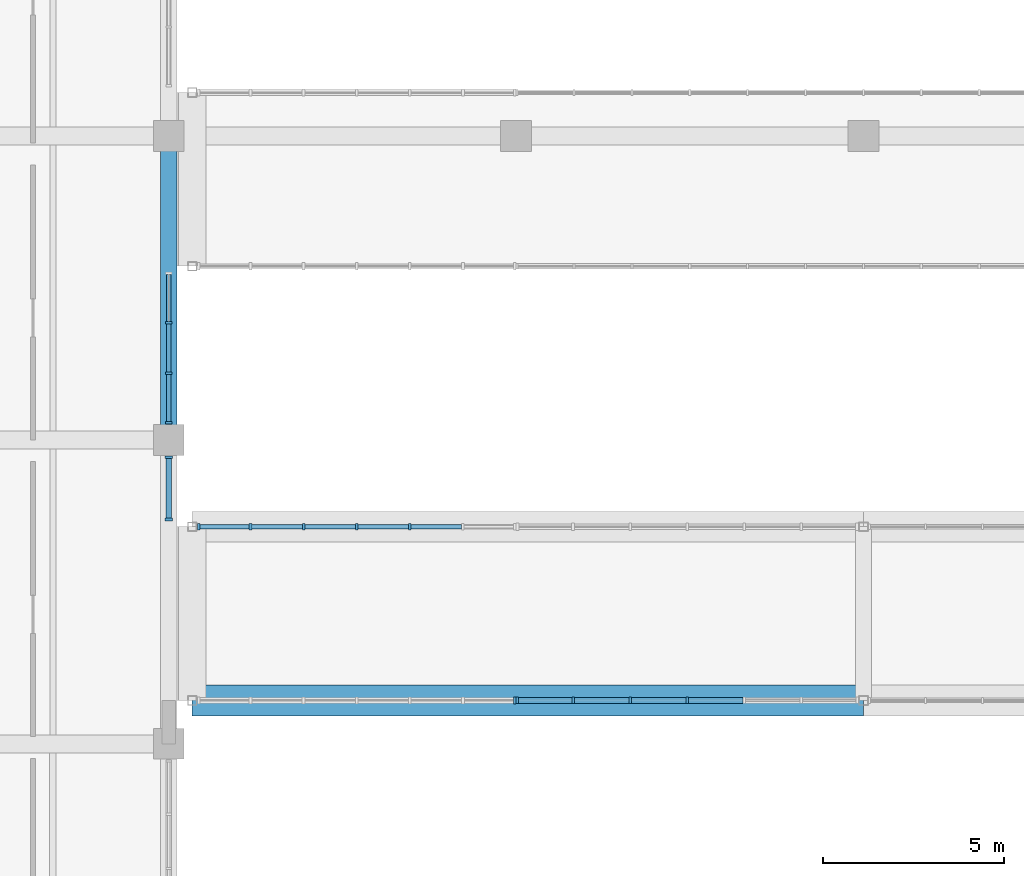
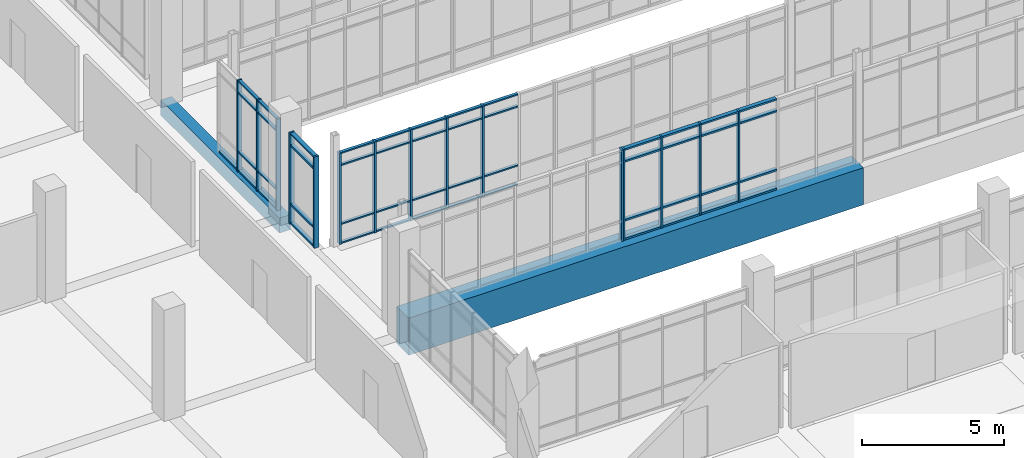
# One storey, part 49 of 152: 64 members, 2 beams, 5 elements without a shape of their own.
"""IFC4 building model written with IfcOpenShell, lengths in metres."""

from ifc_helpers import new_model, si_unit, direction, frame, origin, origin_2d, place, context, subcontext, project, spatial, rectangle, extrude, material, material_profile, profile_set, type_object, element, aggregate, save


model = new_model("IFC4")

# Units and contexts
model_context = context("Model", 3, precision=1e-05, world=origin(), true_north=direction((0.0, 1.0)))
body_context = subcontext(model_context, "Body", "Model", "MODEL_VIEW")
ifc_project = project(units=[si_unit("LENGTHUNIT", "METRE"), si_unit("AREAUNIT", "SQUARE_METRE"), si_unit("VOLUMEUNIT", "CUBIC_METRE"), si_unit("PLANEANGLEUNIT", "RADIAN"), si_unit("MASSUNIT", "GRAM", prefix="KILO")], contexts=[model_context])

# Site, building, storey
site_placement = place(None, origin())
site = spatial("IfcSite", under=ifc_project, at=site_placement, CompositionType="ELEMENT")
building_placement = place(site_placement, origin())
building = spatial("IfcBuilding", under=site, at=building_placement, Name="Oolite Switchyard Hospital", CompositionType="ELEMENT")
storey_placement = place(building_placement, frame((0.0, 0.0, 5.10009765625)))
storey = spatial("IfcBuildingStorey", under=building, at=storey_placement, Name="L01", CompositionType="ELEMENT", Elevation=5.10009765625)

# Beams
ifc_material_1 = material(Name="Concrete C40/50", Category="concrete")
ifc_material_profile_1 = material_profile(ifc_material_1, rectangle(XDim=0.449951171875, YDim=0.64990234375, at=origin_2d()), Name="RCB450X650")
ifc_profile_set_1 = profile_set([ifc_material_profile_1], Name="Concrete C40/50")
beam_type_1 = type_object("IfcBeamType", Name="BM-RC450X650", PredefinedType="BEAM", material=ifc_profile_set_1)
beam_1_placement = place(storey_placement, frame((144.0, 42.0, -0.3251953125), z_axis=(0.0, 1.0, 0.0), x_axis=(-1.0, 0.0, 0.0)))
element("IfcBeam", 1, at=beam_1_placement, inside=storey, type_object=beam_type_1, Name="L01 Y-Girder 463", PredefinedType="BEAM", context=body_context, shape_type="SweptSolid", body=[
    extrude(rectangle(XDim=0.449951171875, YDim=0.64990234375, at=origin_2d()), origin(), (0.0, 0.0, 1.0), 8.39990234375),
])
ifc_material_profile_2 = material_profile(ifc_material_1, rectangle(XDim=0.85009765625, YDim=1.60009765625, at=origin_2d()), Name="RCT850X1600")
ifc_profile_set_2 = profile_set([ifc_material_profile_2], Name="Concrete C40/50")
beam_type_2 = type_object("IfcBeamType", Name="BM-TR850X1600", PredefinedType="BEAM", material=ifc_profile_set_2)
beam_2_placement = place(storey_placement, frame((144.64990234375, 34.800048828125, -0.800048828125), z_axis=(1.0, 0.0, 0.0), x_axis=(0.0, 1.0, 0.0)))
element("IfcBeam", 2, at=beam_2_placement, inside=storey, type_object=beam_type_2, Name="L01 X-Girder 80", PredefinedType="BEAM", context=body_context, shape_type="SweptSolid", body=[
    extrude(rectangle(XDim=0.85009765625, YDim=1.60009765625, at=origin_2d()), origin(), (0.0, 0.0, 1.0), 18.550048828125),
])

# Curtain wall, members
ifc_material_2 = material(Name="Thermally broken aluminum frame with laminated impact glazing", Category="aluminium")
curtain_wall_type = type_object("IfcCurtainWallType", Name="CW-BRG-96X38", PredefinedType="USERDEFINED", material=ifc_material_2)
curtain_wall_1_placement = place(storey_placement, origin())
curtain_wall_1 = element("IfcCurtainWall", 3, at=curtain_wall_1_placement, inside=storey, type_object=curtain_wall_type, Name="L01 Unitised Curtain Wall 117", ObjectType="UNITISED", PredefinedType="USERDEFINED")
ifc_material_3 = material(Name="Aluminium 6063-T6", Category="aluminium")
ifc_material_profile_3 = material_profile(ifc_material_3, rectangle(XDim=0.179931640625, YDim=0.070068359375, at=origin_2d()), Name="CWM70X180")
ifc_profile_set_3 = profile_set([ifc_material_profile_3], Name="Aluminium 6063-T6")
member_type_1 = type_object("IfcMemberType", Name="CW-MUL-220", PredefinedType="MULLION", material=ifc_profile_set_3)
member_1_placement = place(storey_placement, frame((158.3291015625, 34.800048828125, 0.0), z_axis=(0.0, 0.0, 1.0), x_axis=(0.0, -1.0, 0.0)))
member_1 = element("IfcMember", 4, at=member_1_placement, type_object=member_type_1, Name="CW-12 mullion 4", PredefinedType="MULLION", context=body_context, shape_type="SweptSolid", body=[
    extrude(rectangle(XDim=0.179931640625, YDim=0.070068359375, at=origin_2d()), origin(), (0.0, 0.0, 1.0), 3.93994140625),
])
member_2_placement = place(storey_placement, frame((156.752685546875, 34.800048828125, 0.0), z_axis=(0.0, 0.0, 1.0), x_axis=(0.0, -1.0, 0.0)))
member_2 = element("IfcMember", 5, at=member_2_placement, type_object=member_type_1, Name="CW-12 mullion 5", PredefinedType="MULLION", context=body_context, shape_type="SweptSolid", body=[
    extrude(rectangle(XDim=0.179931640625, YDim=0.070068359375, at=origin_2d()), origin(), (0.0, 0.0, 1.0), 3.93994140625),
])
member_3_placement = place(storey_placement, frame((155.17626953125, 34.800048828125, 0.0), z_axis=(0.0, 0.0, 1.0), x_axis=(0.0, -1.0, 0.0)))
member_3 = element("IfcMember", 6, at=member_3_placement, type_object=member_type_1, Name="CW-12 mullion 6", PredefinedType="MULLION", context=body_context, shape_type="SweptSolid", body=[
    extrude(rectangle(XDim=0.179931640625, YDim=0.070068359375, at=origin_2d()), origin(), (0.0, 0.0, 1.0), 3.93994140625),
])
member_4_placement = place(storey_placement, frame((153.635009765625, 34.800048828125, 0.0), z_axis=(0.0, 0.0, 1.0), x_axis=(0.0, -1.0, 0.0)))
member_4 = element("IfcMember", 7, at=member_4_placement, type_object=member_type_1, Name="CW-12 mullion 7", PredefinedType="MULLION", context=body_context, shape_type="SweptSolid", body=[
    extrude(rectangle(XDim=0.179931640625, YDim=0.070068359375, at=origin_2d()), origin(), (0.0, 0.0, 1.0), 3.93994140625),
])

curtain_wall_2_placement = place(storey_placement, origin())
curtain_wall_2 = element("IfcCurtainWall", 8, at=curtain_wall_2_placement, inside=storey, type_object=curtain_wall_type, Name="L01 Unitised Curtain Wall 120", ObjectType="UNITISED", PredefinedType="USERDEFINED")
member_5_placement = place(storey_placement, frame((144.826904296875, 39.60009765625, 0.0), z_axis=(0.0, 0.0, 1.0), x_axis=(0.0, 1.0, 0.0)))
member_5 = element("IfcMember", 9, at=member_5_placement, type_object=member_type_1, Name="CW-12 mullion 1", PredefinedType="MULLION", context=body_context, shape_type="SweptSolid", body=[
    extrude(rectangle(XDim=0.179931640625, YDim=0.070068359375, at=origin_2d()), origin(), (0.0, 0.0, 1.0), 3.93994140625),
])
member_6_placement = place(storey_placement, frame((146.260009765625, 39.60009765625, 0.0), z_axis=(0.0, 0.0, 1.0), x_axis=(0.0, 1.0, 0.0)))
member_6 = element("IfcMember", 10, at=member_6_placement, type_object=member_type_1, Name="CW-12 mullion 2", PredefinedType="MULLION", context=body_context, shape_type="SweptSolid", body=[
    extrude(rectangle(XDim=0.179931640625, YDim=0.070068359375, at=origin_2d()), origin(), (0.0, 0.0, 1.0), 3.93994140625),
])
member_7_placement = place(storey_placement, frame((147.72802734375, 39.60009765625, 0.0), z_axis=(0.0, 0.0, 1.0), x_axis=(0.0, 1.0, 0.0)))
member_7 = element("IfcMember", 11, at=member_7_placement, type_object=member_type_1, Name="CW-12 mullion 3", PredefinedType="MULLION", context=body_context, shape_type="SweptSolid", body=[
    extrude(rectangle(XDim=0.179931640625, YDim=0.070068359375, at=origin_2d()), origin(), (0.0, 0.0, 1.0), 3.93994140625),
])
member_8_placement = place(storey_placement, frame((149.196044921875, 39.60009765625, 0.0), z_axis=(0.0, 0.0, 1.0), x_axis=(0.0, 1.0, 0.0)))
member_8 = element("IfcMember", 12, at=member_8_placement, type_object=member_type_1, Name="CW-12 mullion 4", PredefinedType="MULLION", context=body_context, shape_type="SweptSolid", body=[
    extrude(rectangle(XDim=0.179931640625, YDim=0.070068359375, at=origin_2d()), origin(), (0.0, 0.0, 1.0), 3.93994140625),
])
member_9_placement = place(storey_placement, frame((150.6640625, 39.60009765625, 0.0), z_axis=(0.0, 0.0, 1.0), x_axis=(0.0, 1.0, 0.0)))
member_9 = element("IfcMember", 13, at=member_9_placement, type_object=member_type_1, Name="CW-12 mullion 5", PredefinedType="MULLION", context=body_context, shape_type="SweptSolid", body=[
    extrude(rectangle(XDim=0.179931640625, YDim=0.070068359375, at=origin_2d()), origin(), (0.0, 0.0, 1.0), 3.93994140625),
])

curtain_wall_3_placement = place(storey_placement, origin())
curtain_wall_3 = element("IfcCurtainWall", 14, at=curtain_wall_3_placement, inside=storey, type_object=curtain_wall_type, Name="L01 Unitised Curtain Wall 192", ObjectType="UNITISED", PredefinedType="USERDEFINED")
member_10_placement = place(storey_placement, frame((144.0, 45.239990234375, 0.0), z_axis=(0.0, 0.0, 1.0), x_axis=(1.0, 0.0, 0.0)))
member_10 = element("IfcMember", 15, at=member_10_placement, type_object=member_type_1, Name="CW-12 mullion 2", PredefinedType="MULLION", context=body_context, shape_type="SweptSolid", body=[
    extrude(rectangle(XDim=0.179931640625, YDim=0.070068359375, at=origin_2d()), origin(), (0.0, 0.0, 1.0), 3.93994140625),
])
member_11_placement = place(storey_placement, frame((144.0, 43.840087890625, 0.0), z_axis=(0.0, 0.0, 1.0), x_axis=(1.0, 0.0, 0.0)))
member_11 = element("IfcMember", 16, at=member_11_placement, type_object=member_type_1, Name="CW-12 mullion 3", PredefinedType="MULLION", context=body_context, shape_type="SweptSolid", body=[
    extrude(rectangle(XDim=0.179931640625, YDim=0.070068359375, at=origin_2d()), origin(), (0.0, 0.0, 1.0), 3.93994140625),
])
member_12_placement = place(storey_placement, frame((144.0, 42.47509765625, 0.0), z_axis=(0.0, 0.0, 1.0), x_axis=(1.0, 0.0, 0.0)))
member_12 = element("IfcMember", 17, at=member_12_placement, type_object=member_type_1, Name="CW-12 mullion 4", PredefinedType="MULLION", context=body_context, shape_type="SweptSolid", body=[
    extrude(rectangle(XDim=0.179931640625, YDim=0.070068359375, at=origin_2d()), origin(), (0.0, 0.0, 1.0), 3.93994140625),
])

# Curtain wall, member
curtain_wall_4_placement = place(storey_placement, origin())
curtain_wall_4 = element("IfcCurtainWall", 18, at=curtain_wall_4_placement, inside=storey, type_object=curtain_wall_type, Name="L01 Unitised Curtain Wall 115", ObjectType="UNITISED", PredefinedType="USERDEFINED")
ifc_material_profile_4 = material_profile(ifc_material_3, rectangle(XDim=0.199951171875, YDim=0.074951171875, at=origin_2d()), Name="CWM75X200")
ifc_profile_set_4 = profile_set([ifc_material_profile_4], Name="Aluminium 6063-T6")
member_type_2 = type_object("IfcMemberType", Name="CW-MUL-260", PredefinedType="MULLION", material=ifc_profile_set_4)
member_13_placement = place(storey_placement, frame((153.5625, 34.800048828125, 0.0), z_axis=(0.0, 0.0, 1.0), x_axis=(0.0, -1.0, 0.0)))
member_13 = element("IfcMember", 19, at=member_13_placement, type_object=member_type_2, Name="CW-12 mullion 1", PredefinedType="MULLION", context=body_context, shape_type="SweptSolid", body=[
    extrude(rectangle(XDim=0.199951171875, YDim=0.074951171875, at=origin_2d()), origin(), (0.0, 0.0, 1.0), 3.93994140625),
])
aggregate(curtain_wall_4, [member_13])

# Curtain wall, members
curtain_wall_5_placement = place(storey_placement, origin())
curtain_wall_5 = element("IfcCurtainWall", 20, at=curtain_wall_5_placement, inside=storey, type_object=curtain_wall_type, Name="L01 Unitised Curtain Wall 193", ObjectType="UNITISED", PredefinedType="USERDEFINED")
member_14_placement = place(storey_placement, frame((144.0, 41.5224609375, 0.0), z_axis=(0.0, 0.0, 1.0), x_axis=(1.0, 0.0, 0.0)))
member_14 = element("IfcMember", 21, at=member_14_placement, type_object=member_type_2, Name="CW-12 mullion 1", PredefinedType="MULLION", context=body_context, shape_type="SweptSolid", body=[
    extrude(rectangle(XDim=0.199951171875, YDim=0.074951171875, at=origin_2d()), origin(), (0.0, 0.0, 1.0), 3.93994140625),
])
member_15_placement = place(storey_placement, frame((144.0, 39.797607421875, 0.0), z_axis=(0.0, 0.0, 1.0), x_axis=(1.0, 0.0, 0.0)))
member_15 = element("IfcMember", 22, at=member_15_placement, type_object=member_type_2, Name="CW-12 mullion 2", PredefinedType="MULLION", context=body_context, shape_type="SweptSolid", body=[
    extrude(rectangle(XDim=0.199951171875, YDim=0.074951171875, at=origin_2d()), origin(), (0.0, 0.0, 1.0), 3.93994140625),
])

# Member
ifc_material_profile_5 = material_profile(ifc_material_3, rectangle(XDim=0.1201171875, YDim=0.06005859375, at=origin_2d()), Name="CWT60X120")
ifc_profile_set_5 = profile_set([ifc_material_profile_5], Name="Aluminium 6063-T6")
member_type_3 = type_object("IfcMemberType", Name="CW-TRN-150", PredefinedType="USERDEFINED", material=ifc_profile_set_5)
member_16_placement = place(storey_placement, frame((144.862060546875, 39.60009765625, 0.02978515625), z_axis=(1.0, 0.0, 0.0), x_axis=(0.0, 1.0, 0.0)))
member_16 = element("IfcMember", 23, at=member_16_placement, type_object=member_type_3, Name="CW-12 transom 1.1", ObjectType="TRANSOM", PredefinedType="USERDEFINED", context=body_context, shape_type="SweptSolid", body=[
    extrude(rectangle(XDim=0.1201171875, YDim=0.06005859375, at=origin_2d()), origin(), (0.0, 0.0, 1.0), 1.363037109375),
])

member_17_placement = place(storey_placement, frame((144.862060546875, 39.60009765625, 0.849853515625), z_axis=(1.0, 0.0, 0.0), x_axis=(0.0, 1.0, 0.0)))
member_17 = element("IfcMember", 24, at=member_17_placement, type_object=member_type_3, Name="CW-12 transom 1.2", ObjectType="TRANSOM", PredefinedType="USERDEFINED", context=body_context, shape_type="SweptSolid", body=[
    extrude(rectangle(XDim=0.1201171875, YDim=0.06005859375, at=origin_2d()), origin(), (0.0, 0.0, 1.0), 1.363037109375),
])

member_18_placement = place(storey_placement, frame((144.862060546875, 39.60009765625, 3.389892578125), z_axis=(1.0, 0.0, 0.0), x_axis=(0.0, 1.0, 0.0)))
member_18 = element("IfcMember", 25, at=member_18_placement, type_object=member_type_3, Name="CW-12 transom 1.3", ObjectType="TRANSOM", PredefinedType="USERDEFINED", context=body_context, shape_type="SweptSolid", body=[
    extrude(rectangle(XDim=0.1201171875, YDim=0.06005859375, at=origin_2d()), origin(), (0.0, 0.0, 1.0), 1.363037109375),
])

member_19_placement = place(storey_placement, frame((144.862060546875, 39.60009765625, 3.909912109375), z_axis=(1.0, 0.0, 0.0), x_axis=(0.0, 1.0, 0.0)))
member_19 = element("IfcMember", 26, at=member_19_placement, type_object=member_type_3, Name="CW-12 transom 1.4", ObjectType="TRANSOM", PredefinedType="USERDEFINED", context=body_context, shape_type="SweptSolid", body=[
    extrude(rectangle(XDim=0.1201171875, YDim=0.06005859375, at=origin_2d()), origin(), (0.0, 0.0, 1.0), 1.363037109375),
])

member_20_placement = place(storey_placement, frame((146.294921875, 39.60009765625, 0.02978515625), z_axis=(1.0, 0.0, 0.0), x_axis=(0.0, 1.0, 0.0)))
member_20 = element("IfcMember", 27, at=member_20_placement, type_object=member_type_3, Name="CW-12 transom 2.1", ObjectType="TRANSOM", PredefinedType="USERDEFINED", context=body_context, shape_type="SweptSolid", body=[
    extrude(rectangle(XDim=0.1201171875, YDim=0.06005859375, at=origin_2d()), origin(), (0.0, 0.0, 1.0), 1.398193359375),
])

member_21_placement = place(storey_placement, frame((146.294921875, 39.60009765625, 0.849853515625), z_axis=(1.0, 0.0, 0.0), x_axis=(0.0, 1.0, 0.0)))
member_21 = element("IfcMember", 28, at=member_21_placement, type_object=member_type_3, Name="CW-12 transom 2.2", ObjectType="TRANSOM", PredefinedType="USERDEFINED", context=body_context, shape_type="SweptSolid", body=[
    extrude(rectangle(XDim=0.1201171875, YDim=0.06005859375, at=origin_2d()), origin(), (0.0, 0.0, 1.0), 1.398193359375),
])

member_22_placement = place(storey_placement, frame((146.294921875, 39.60009765625, 3.389892578125), z_axis=(1.0, 0.0, 0.0), x_axis=(0.0, 1.0, 0.0)))
member_22 = element("IfcMember", 29, at=member_22_placement, type_object=member_type_3, Name="CW-12 transom 2.3", ObjectType="TRANSOM", PredefinedType="USERDEFINED", context=body_context, shape_type="SweptSolid", body=[
    extrude(rectangle(XDim=0.1201171875, YDim=0.06005859375, at=origin_2d()), origin(), (0.0, 0.0, 1.0), 1.398193359375),
])

member_23_placement = place(storey_placement, frame((146.294921875, 39.60009765625, 3.909912109375), z_axis=(1.0, 0.0, 0.0), x_axis=(0.0, 1.0, 0.0)))
member_23 = element("IfcMember", 30, at=member_23_placement, type_object=member_type_3, Name="CW-12 transom 2.4", ObjectType="TRANSOM", PredefinedType="USERDEFINED", context=body_context, shape_type="SweptSolid", body=[
    extrude(rectangle(XDim=0.1201171875, YDim=0.06005859375, at=origin_2d()), origin(), (0.0, 0.0, 1.0), 1.398193359375),
])

member_24_placement = place(storey_placement, frame((147.762939453125, 39.60009765625, 0.02978515625), z_axis=(1.0, 0.0, 0.0), x_axis=(0.0, 1.0, 0.0)))
member_24 = element("IfcMember", 31, at=member_24_placement, type_object=member_type_3, Name="CW-12 transom 3.1", ObjectType="TRANSOM", PredefinedType="USERDEFINED", context=body_context, shape_type="SweptSolid", body=[
    extrude(rectangle(XDim=0.1201171875, YDim=0.06005859375, at=origin_2d()), origin(), (0.0, 0.0, 1.0), 1.39794921875),
])

member_25_placement = place(storey_placement, frame((147.762939453125, 39.60009765625, 0.849853515625), z_axis=(1.0, 0.0, 0.0), x_axis=(0.0, 1.0, 0.0)))
member_25 = element("IfcMember", 32, at=member_25_placement, type_object=member_type_3, Name="CW-12 transom 3.2", ObjectType="TRANSOM", PredefinedType="USERDEFINED", context=body_context, shape_type="SweptSolid", body=[
    extrude(rectangle(XDim=0.1201171875, YDim=0.06005859375, at=origin_2d()), origin(), (0.0, 0.0, 1.0), 1.39794921875),
])

member_26_placement = place(storey_placement, frame((147.762939453125, 39.60009765625, 3.389892578125), z_axis=(1.0, 0.0, 0.0), x_axis=(0.0, 1.0, 0.0)))
member_26 = element("IfcMember", 33, at=member_26_placement, type_object=member_type_3, Name="CW-12 transom 3.3", ObjectType="TRANSOM", PredefinedType="USERDEFINED", context=body_context, shape_type="SweptSolid", body=[
    extrude(rectangle(XDim=0.1201171875, YDim=0.06005859375, at=origin_2d()), origin(), (0.0, 0.0, 1.0), 1.39794921875),
])

member_27_placement = place(storey_placement, frame((147.762939453125, 39.60009765625, 3.909912109375), z_axis=(1.0, 0.0, 0.0), x_axis=(0.0, 1.0, 0.0)))
member_27 = element("IfcMember", 34, at=member_27_placement, type_object=member_type_3, Name="CW-12 transom 3.4", ObjectType="TRANSOM", PredefinedType="USERDEFINED", context=body_context, shape_type="SweptSolid", body=[
    extrude(rectangle(XDim=0.1201171875, YDim=0.06005859375, at=origin_2d()), origin(), (0.0, 0.0, 1.0), 1.39794921875),
])

member_28_placement = place(storey_placement, frame((149.23095703125, 39.60009765625, 0.02978515625), z_axis=(1.0, 0.0, 0.0), x_axis=(0.0, 1.0, 0.0)))
member_28 = element("IfcMember", 35, at=member_28_placement, type_object=member_type_3, Name="CW-12 transom 4.1", ObjectType="TRANSOM", PredefinedType="USERDEFINED", context=body_context, shape_type="SweptSolid", body=[
    extrude(rectangle(XDim=0.1201171875, YDim=0.06005859375, at=origin_2d()), origin(), (0.0, 0.0, 1.0), 1.39794921875),
])

member_29_placement = place(storey_placement, frame((149.23095703125, 39.60009765625, 0.849853515625), z_axis=(1.0, 0.0, 0.0), x_axis=(0.0, 1.0, 0.0)))
member_29 = element("IfcMember", 36, at=member_29_placement, type_object=member_type_3, Name="CW-12 transom 4.2", ObjectType="TRANSOM", PredefinedType="USERDEFINED", context=body_context, shape_type="SweptSolid", body=[
    extrude(rectangle(XDim=0.1201171875, YDim=0.06005859375, at=origin_2d()), origin(), (0.0, 0.0, 1.0), 1.39794921875),
])

member_30_placement = place(storey_placement, frame((149.23095703125, 39.60009765625, 3.389892578125), z_axis=(1.0, 0.0, 0.0), x_axis=(0.0, 1.0, 0.0)))
member_30 = element("IfcMember", 37, at=member_30_placement, type_object=member_type_3, Name="CW-12 transom 4.3", ObjectType="TRANSOM", PredefinedType="USERDEFINED", context=body_context, shape_type="SweptSolid", body=[
    extrude(rectangle(XDim=0.1201171875, YDim=0.06005859375, at=origin_2d()), origin(), (0.0, 0.0, 1.0), 1.39794921875),
])

member_31_placement = place(storey_placement, frame((149.23095703125, 39.60009765625, 3.909912109375), z_axis=(1.0, 0.0, 0.0), x_axis=(0.0, 1.0, 0.0)))
member_31 = element("IfcMember", 38, at=member_31_placement, type_object=member_type_3, Name="CW-12 transom 4.4", ObjectType="TRANSOM", PredefinedType="USERDEFINED", context=body_context, shape_type="SweptSolid", body=[
    extrude(rectangle(XDim=0.1201171875, YDim=0.06005859375, at=origin_2d()), origin(), (0.0, 0.0, 1.0), 1.39794921875),
])

member_32_placement = place(storey_placement, frame((150.698974609375, 39.60009765625, 0.02978515625), z_axis=(1.0, 0.0, 0.0), x_axis=(0.0, 1.0, 0.0)))
member_32 = element("IfcMember", 39, at=member_32_placement, type_object=member_type_3, Name="CW-12 transom 5.1", ObjectType="TRANSOM", PredefinedType="USERDEFINED", context=body_context, shape_type="SweptSolid", body=[
    extrude(rectangle(XDim=0.1201171875, YDim=0.06005859375, at=origin_2d()), origin(), (0.0, 0.0, 1.0), 1.39794921875),
])

member_33_placement = place(storey_placement, frame((150.698974609375, 39.60009765625, 0.849853515625), z_axis=(1.0, 0.0, 0.0), x_axis=(0.0, 1.0, 0.0)))
member_33 = element("IfcMember", 40, at=member_33_placement, type_object=member_type_3, Name="CW-12 transom 5.2", ObjectType="TRANSOM", PredefinedType="USERDEFINED", context=body_context, shape_type="SweptSolid", body=[
    extrude(rectangle(XDim=0.1201171875, YDim=0.06005859375, at=origin_2d()), origin(), (0.0, 0.0, 1.0), 1.39794921875),
])

member_34_placement = place(storey_placement, frame((150.698974609375, 39.60009765625, 3.389892578125), z_axis=(1.0, 0.0, 0.0), x_axis=(0.0, 1.0, 0.0)))
member_34 = element("IfcMember", 41, at=member_34_placement, type_object=member_type_3, Name="CW-12 transom 5.3", ObjectType="TRANSOM", PredefinedType="USERDEFINED", context=body_context, shape_type="SweptSolid", body=[
    extrude(rectangle(XDim=0.1201171875, YDim=0.06005859375, at=origin_2d()), origin(), (0.0, 0.0, 1.0), 1.39794921875),
])

member_35_placement = place(storey_placement, frame((150.698974609375, 39.60009765625, 3.909912109375), z_axis=(1.0, 0.0, 0.0), x_axis=(0.0, 1.0, 0.0)))
member_35 = element("IfcMember", 42, at=member_35_placement, type_object=member_type_3, Name="CW-12 transom 5.4", ObjectType="TRANSOM", PredefinedType="USERDEFINED", context=body_context, shape_type="SweptSolid", body=[
    extrude(rectangle(XDim=0.1201171875, YDim=0.06005859375, at=origin_2d()), origin(), (0.0, 0.0, 1.0), 1.39794921875),
])

aggregate(curtain_wall_2, [member_5, member_6, member_7, member_8, member_9, member_16, member_17, member_18, member_19, member_20, member_21, member_22, member_23, member_24, member_25, member_26, member_27, member_28, member_29, member_30, member_31, member_32, member_33, member_34, member_35])

member_36_placement = place(storey_placement, frame((144.0, 46.570068359375, 0.02978515625), z_axis=(0.0, -1.0, 0.0), x_axis=(1.0, 0.0, 0.0)))
member_36 = element("IfcMember", 43, at=member_36_placement, type_object=member_type_3, Name="CW-12 transom 1.1", ObjectType="TRANSOM", PredefinedType="USERDEFINED", context=body_context, shape_type="SweptSolid", body=[
    extrude(rectangle(XDim=0.1201171875, YDim=0.06005859375, at=origin_2d()), origin(), (0.0, 0.0, 1.0), 1.295166015625),
])

member_37_placement = place(storey_placement, frame((144.0, 45.205078125, 0.02978515625), z_axis=(0.0, -1.0, 0.0), x_axis=(1.0, 0.0, 0.0)))
member_37 = element("IfcMember", 44, at=member_37_placement, type_object=member_type_3, Name="CW-12 transom 2.1", ObjectType="TRANSOM", PredefinedType="USERDEFINED", context=body_context, shape_type="SweptSolid", body=[
    extrude(rectangle(XDim=0.1201171875, YDim=0.06005859375, at=origin_2d()), origin(), (0.0, 0.0, 1.0), 1.330078125),
])

member_38_placement = place(storey_placement, frame((144.0, 45.205078125, 0.849853515625), z_axis=(0.0, -1.0, 0.0), x_axis=(1.0, 0.0, 0.0)))
member_38 = element("IfcMember", 45, at=member_38_placement, type_object=member_type_3, Name="CW-12 transom 2.2", ObjectType="TRANSOM", PredefinedType="USERDEFINED", context=body_context, shape_type="SweptSolid", body=[
    extrude(rectangle(XDim=0.1201171875, YDim=0.06005859375, at=origin_2d()), origin(), (0.0, 0.0, 1.0), 1.330078125),
])

member_39_placement = place(storey_placement, frame((144.0, 45.205078125, 3.389892578125), z_axis=(0.0, -1.0, 0.0), x_axis=(1.0, 0.0, 0.0)))
member_39 = element("IfcMember", 46, at=member_39_placement, type_object=member_type_3, Name="CW-12 transom 2.3", ObjectType="TRANSOM", PredefinedType="USERDEFINED", context=body_context, shape_type="SweptSolid", body=[
    extrude(rectangle(XDim=0.1201171875, YDim=0.06005859375, at=origin_2d()), origin(), (0.0, 0.0, 1.0), 1.330078125),
])

member_40_placement = place(storey_placement, frame((144.0, 45.205078125, 3.909912109375), z_axis=(0.0, -1.0, 0.0), x_axis=(1.0, 0.0, 0.0)))
member_40 = element("IfcMember", 47, at=member_40_placement, type_object=member_type_3, Name="CW-12 transom 2.4", ObjectType="TRANSOM", PredefinedType="USERDEFINED", context=body_context, shape_type="SweptSolid", body=[
    extrude(rectangle(XDim=0.1201171875, YDim=0.06005859375, at=origin_2d()), origin(), (0.0, 0.0, 1.0), 1.330078125),
])

member_41_placement = place(storey_placement, frame((144.0, 43.804931640625, 0.02978515625), z_axis=(0.0, -1.0, 0.0), x_axis=(1.0, 0.0, 0.0)))
member_41 = element("IfcMember", 48, at=member_41_placement, type_object=member_type_3, Name="CW-12 transom 3.1", ObjectType="TRANSOM", PredefinedType="USERDEFINED", context=body_context, shape_type="SweptSolid", body=[
    extrude(rectangle(XDim=0.1201171875, YDim=0.06005859375, at=origin_2d()), origin(), (0.0, 0.0, 1.0), 1.294921875),
])

member_42_placement = place(storey_placement, frame((144.0, 43.804931640625, 0.849853515625), z_axis=(0.0, -1.0, 0.0), x_axis=(1.0, 0.0, 0.0)))
member_42 = element("IfcMember", 49, at=member_42_placement, type_object=member_type_3, Name="CW-12 transom 3.2", ObjectType="TRANSOM", PredefinedType="USERDEFINED", context=body_context, shape_type="SweptSolid", body=[
    extrude(rectangle(XDim=0.1201171875, YDim=0.06005859375, at=origin_2d()), origin(), (0.0, 0.0, 1.0), 1.294921875),
])

member_43_placement = place(storey_placement, frame((144.0, 43.804931640625, 3.389892578125), z_axis=(0.0, -1.0, 0.0), x_axis=(1.0, 0.0, 0.0)))
member_43 = element("IfcMember", 50, at=member_43_placement, type_object=member_type_3, Name="CW-12 transom 3.3", ObjectType="TRANSOM", PredefinedType="USERDEFINED", context=body_context, shape_type="SweptSolid", body=[
    extrude(rectangle(XDim=0.1201171875, YDim=0.06005859375, at=origin_2d()), origin(), (0.0, 0.0, 1.0), 1.294921875),
])

member_44_placement = place(storey_placement, frame((144.0, 43.804931640625, 3.909912109375), z_axis=(0.0, -1.0, 0.0), x_axis=(1.0, 0.0, 0.0)))
member_44 = element("IfcMember", 51, at=member_44_placement, type_object=member_type_3, Name="CW-12 transom 3.4", ObjectType="TRANSOM", PredefinedType="USERDEFINED", context=body_context, shape_type="SweptSolid", body=[
    extrude(rectangle(XDim=0.1201171875, YDim=0.06005859375, at=origin_2d()), origin(), (0.0, 0.0, 1.0), 1.294921875),
])

aggregate(curtain_wall_3, [member_10, member_11, member_12, member_36, member_37, member_38, member_39, member_40, member_41, member_42, member_43, member_44])

ifc_material_profile_6 = material_profile(ifc_material_3, rectangle(XDim=0.159912109375, YDim=0.074951171875, at=origin_2d()), Name="CWT75X160")
ifc_profile_set_6 = profile_set([ifc_material_profile_6], Name="Aluminium 6063-T6")
member_type_4 = type_object("IfcMemberType", Name="CW-TRN-180", PredefinedType="USERDEFINED", material=ifc_profile_set_6)
member_45_placement = place(storey_placement, frame((159.870361328125, 34.800048828125, 0.037353515625), z_axis=(-1.0, 0.0, 0.0), x_axis=(0.0, -1.0, 0.0)))
member_45 = element("IfcMember", 52, at=member_45_placement, type_object=member_type_4, Name="CW-12 transom 3.1", ObjectType="TRANSOM", PredefinedType="USERDEFINED", context=body_context, shape_type="SweptSolid", body=[
    extrude(rectangle(XDim=0.159912109375, YDim=0.074951171875, at=origin_2d()), origin(), (0.0, 0.0, 1.0), 1.50634765625),
])

member_46_placement = place(storey_placement, frame((159.870361328125, 34.800048828125, 0.849853515625), z_axis=(-1.0, 0.0, 0.0), x_axis=(0.0, -1.0, 0.0)))
member_46 = element("IfcMember", 53, at=member_46_placement, type_object=member_type_4, Name="CW-12 transom 3.2", ObjectType="TRANSOM", PredefinedType="USERDEFINED", context=body_context, shape_type="SweptSolid", body=[
    extrude(rectangle(XDim=0.159912109375, YDim=0.074951171875, at=origin_2d()), origin(), (0.0, 0.0, 1.0), 1.50634765625),
])

member_47_placement = place(storey_placement, frame((159.870361328125, 34.800048828125, 3.389892578125), z_axis=(-1.0, 0.0, 0.0), x_axis=(0.0, -1.0, 0.0)))
member_47 = element("IfcMember", 54, at=member_47_placement, type_object=member_type_4, Name="CW-12 transom 3.3", ObjectType="TRANSOM", PredefinedType="USERDEFINED", context=body_context, shape_type="SweptSolid", body=[
    extrude(rectangle(XDim=0.159912109375, YDim=0.074951171875, at=origin_2d()), origin(), (0.0, 0.0, 1.0), 1.50634765625),
])

member_48_placement = place(storey_placement, frame((159.870361328125, 34.800048828125, 3.90234375), z_axis=(-1.0, 0.0, 0.0), x_axis=(0.0, -1.0, 0.0)))
member_48 = element("IfcMember", 55, at=member_48_placement, type_object=member_type_4, Name="CW-12 transom 3.4", ObjectType="TRANSOM", PredefinedType="USERDEFINED", context=body_context, shape_type="SweptSolid", body=[
    extrude(rectangle(XDim=0.159912109375, YDim=0.074951171875, at=origin_2d()), origin(), (0.0, 0.0, 1.0), 1.50634765625),
])

member_49_placement = place(storey_placement, frame((158.2939453125, 34.800048828125, 0.037353515625), z_axis=(-1.0, 0.0, 0.0), x_axis=(0.0, -1.0, 0.0)))
member_49 = element("IfcMember", 56, at=member_49_placement, type_object=member_type_4, Name="CW-12 transom 4.1", ObjectType="TRANSOM", PredefinedType="USERDEFINED", context=body_context, shape_type="SweptSolid", body=[
    extrude(rectangle(XDim=0.159912109375, YDim=0.074951171875, at=origin_2d()), origin(), (0.0, 0.0, 1.0), 1.50634765625),
])

member_50_placement = place(storey_placement, frame((158.2939453125, 34.800048828125, 0.849853515625), z_axis=(-1.0, 0.0, 0.0), x_axis=(0.0, -1.0, 0.0)))
member_50 = element("IfcMember", 57, at=member_50_placement, type_object=member_type_4, Name="CW-12 transom 4.2", ObjectType="TRANSOM", PredefinedType="USERDEFINED", context=body_context, shape_type="SweptSolid", body=[
    extrude(rectangle(XDim=0.159912109375, YDim=0.074951171875, at=origin_2d()), origin(), (0.0, 0.0, 1.0), 1.50634765625),
])

member_51_placement = place(storey_placement, frame((158.2939453125, 34.800048828125, 3.389892578125), z_axis=(-1.0, 0.0, 0.0), x_axis=(0.0, -1.0, 0.0)))
member_51 = element("IfcMember", 58, at=member_51_placement, type_object=member_type_4, Name="CW-12 transom 4.3", ObjectType="TRANSOM", PredefinedType="USERDEFINED", context=body_context, shape_type="SweptSolid", body=[
    extrude(rectangle(XDim=0.159912109375, YDim=0.074951171875, at=origin_2d()), origin(), (0.0, 0.0, 1.0), 1.50634765625),
])

member_52_placement = place(storey_placement, frame((158.2939453125, 34.800048828125, 3.90234375), z_axis=(-1.0, 0.0, 0.0), x_axis=(0.0, -1.0, 0.0)))
member_52 = element("IfcMember", 59, at=member_52_placement, type_object=member_type_4, Name="CW-12 transom 4.4", ObjectType="TRANSOM", PredefinedType="USERDEFINED", context=body_context, shape_type="SweptSolid", body=[
    extrude(rectangle(XDim=0.159912109375, YDim=0.074951171875, at=origin_2d()), origin(), (0.0, 0.0, 1.0), 1.50634765625),
])

member_53_placement = place(storey_placement, frame((156.7177734375, 34.800048828125, 0.037353515625), z_axis=(-1.0, 0.0, 0.0), x_axis=(0.0, -1.0, 0.0)))
member_53 = element("IfcMember", 60, at=member_53_placement, type_object=member_type_4, Name="CW-12 transom 5.1", ObjectType="TRANSOM", PredefinedType="USERDEFINED", context=body_context, shape_type="SweptSolid", body=[
    extrude(rectangle(XDim=0.159912109375, YDim=0.074951171875, at=origin_2d()), origin(), (0.0, 0.0, 1.0), 1.50634765625),
])

member_54_placement = place(storey_placement, frame((156.7177734375, 34.800048828125, 0.849853515625), z_axis=(-1.0, 0.0, 0.0), x_axis=(0.0, -1.0, 0.0)))
member_54 = element("IfcMember", 61, at=member_54_placement, type_object=member_type_4, Name="CW-12 transom 5.2", ObjectType="TRANSOM", PredefinedType="USERDEFINED", context=body_context, shape_type="SweptSolid", body=[
    extrude(rectangle(XDim=0.159912109375, YDim=0.074951171875, at=origin_2d()), origin(), (0.0, 0.0, 1.0), 1.50634765625),
])

member_55_placement = place(storey_placement, frame((156.7177734375, 34.800048828125, 3.389892578125), z_axis=(-1.0, 0.0, 0.0), x_axis=(0.0, -1.0, 0.0)))
member_55 = element("IfcMember", 62, at=member_55_placement, type_object=member_type_4, Name="CW-12 transom 5.3", ObjectType="TRANSOM", PredefinedType="USERDEFINED", context=body_context, shape_type="SweptSolid", body=[
    extrude(rectangle(XDim=0.159912109375, YDim=0.074951171875, at=origin_2d()), origin(), (0.0, 0.0, 1.0), 1.50634765625),
])

member_56_placement = place(storey_placement, frame((156.7177734375, 34.800048828125, 3.90234375), z_axis=(-1.0, 0.0, 0.0), x_axis=(0.0, -1.0, 0.0)))
member_56 = element("IfcMember", 63, at=member_56_placement, type_object=member_type_4, Name="CW-12 transom 5.4", ObjectType="TRANSOM", PredefinedType="USERDEFINED", context=body_context, shape_type="SweptSolid", body=[
    extrude(rectangle(XDim=0.159912109375, YDim=0.074951171875, at=origin_2d()), origin(), (0.0, 0.0, 1.0), 1.50634765625),
])

member_57_placement = place(storey_placement, frame((155.141357421875, 34.800048828125, 0.037353515625), z_axis=(-1.0, 0.0, 0.0), x_axis=(0.0, -1.0, 0.0)))
member_57 = element("IfcMember", 64, at=member_57_placement, type_object=member_type_4, Name="CW-12 transom 6.1", ObjectType="TRANSOM", PredefinedType="USERDEFINED", context=body_context, shape_type="SweptSolid", body=[
    extrude(rectangle(XDim=0.159912109375, YDim=0.074951171875, at=origin_2d()), origin(), (0.0, 0.0, 1.0), 1.471435546875),
])

member_58_placement = place(storey_placement, frame((155.141357421875, 34.800048828125, 0.849853515625), z_axis=(-1.0, 0.0, 0.0), x_axis=(0.0, -1.0, 0.0)))
member_58 = element("IfcMember", 65, at=member_58_placement, type_object=member_type_4, Name="CW-12 transom 6.2", ObjectType="TRANSOM", PredefinedType="USERDEFINED", context=body_context, shape_type="SweptSolid", body=[
    extrude(rectangle(XDim=0.159912109375, YDim=0.074951171875, at=origin_2d()), origin(), (0.0, 0.0, 1.0), 1.471435546875),
])

member_59_placement = place(storey_placement, frame((155.141357421875, 34.800048828125, 3.389892578125), z_axis=(-1.0, 0.0, 0.0), x_axis=(0.0, -1.0, 0.0)))
member_59 = element("IfcMember", 66, at=member_59_placement, type_object=member_type_4, Name="CW-12 transom 6.3", ObjectType="TRANSOM", PredefinedType="USERDEFINED", context=body_context, shape_type="SweptSolid", body=[
    extrude(rectangle(XDim=0.159912109375, YDim=0.074951171875, at=origin_2d()), origin(), (0.0, 0.0, 1.0), 1.471435546875),
])

member_60_placement = place(storey_placement, frame((155.141357421875, 34.800048828125, 3.90234375), z_axis=(-1.0, 0.0, 0.0), x_axis=(0.0, -1.0, 0.0)))
member_60 = element("IfcMember", 67, at=member_60_placement, type_object=member_type_4, Name="CW-12 transom 6.4", ObjectType="TRANSOM", PredefinedType="USERDEFINED", context=body_context, shape_type="SweptSolid", body=[
    extrude(rectangle(XDim=0.159912109375, YDim=0.074951171875, at=origin_2d()), origin(), (0.0, 0.0, 1.0), 1.471435546875),
])

aggregate(curtain_wall_1, [member_1, member_2, member_3, member_4, member_45, member_46, member_47, member_48, member_49, member_50, member_51, member_52, member_53, member_54, member_55, member_56, member_57, member_58, member_59, member_60])

member_61_placement = place(storey_placement, frame((144.0, 41.485107421875, 0.037353515625), z_axis=(0.0, -1.0, 0.0), x_axis=(1.0, 0.0, 0.0)))
member_61 = element("IfcMember", 68, at=member_61_placement, type_object=member_type_4, Name="CW-12 transom 1.1", ObjectType="TRANSOM", PredefinedType="USERDEFINED", context=body_context, shape_type="SweptSolid", body=[
    extrude(rectangle(XDim=0.159912109375, YDim=0.074951171875, at=origin_2d()), origin(), (0.0, 0.0, 1.0), 1.650146484375),
])

member_62_placement = place(storey_placement, frame((144.0, 41.485107421875, 0.849853515625), z_axis=(0.0, -1.0, 0.0), x_axis=(1.0, 0.0, 0.0)))
member_62 = element("IfcMember", 69, at=member_62_placement, type_object=member_type_4, Name="CW-12 transom 1.2", ObjectType="TRANSOM", PredefinedType="USERDEFINED", context=body_context, shape_type="SweptSolid", body=[
    extrude(rectangle(XDim=0.159912109375, YDim=0.074951171875, at=origin_2d()), origin(), (0.0, 0.0, 1.0), 1.650146484375),
])

member_63_placement = place(storey_placement, frame((144.0, 41.485107421875, 3.389892578125), z_axis=(0.0, -1.0, 0.0), x_axis=(1.0, 0.0, 0.0)))
member_63 = element("IfcMember", 70, at=member_63_placement, type_object=member_type_4, Name="CW-12 transom 1.3", ObjectType="TRANSOM", PredefinedType="USERDEFINED", context=body_context, shape_type="SweptSolid", body=[
    extrude(rectangle(XDim=0.159912109375, YDim=0.074951171875, at=origin_2d()), origin(), (0.0, 0.0, 1.0), 1.650146484375),
])

member_64_placement = place(storey_placement, frame((144.0, 41.485107421875, 3.90234375), z_axis=(0.0, -1.0, 0.0), x_axis=(1.0, 0.0, 0.0)))
member_64 = element("IfcMember", 71, at=member_64_placement, type_object=member_type_4, Name="CW-12 transom 1.4", ObjectType="TRANSOM", PredefinedType="USERDEFINED", context=body_context, shape_type="SweptSolid", body=[
    extrude(rectangle(XDim=0.159912109375, YDim=0.074951171875, at=origin_2d()), origin(), (0.0, 0.0, 1.0), 1.650146484375),
])

aggregate(curtain_wall_5, [member_14, member_15, member_61, member_62, member_63, member_64])

save(model, "model.ifc")
